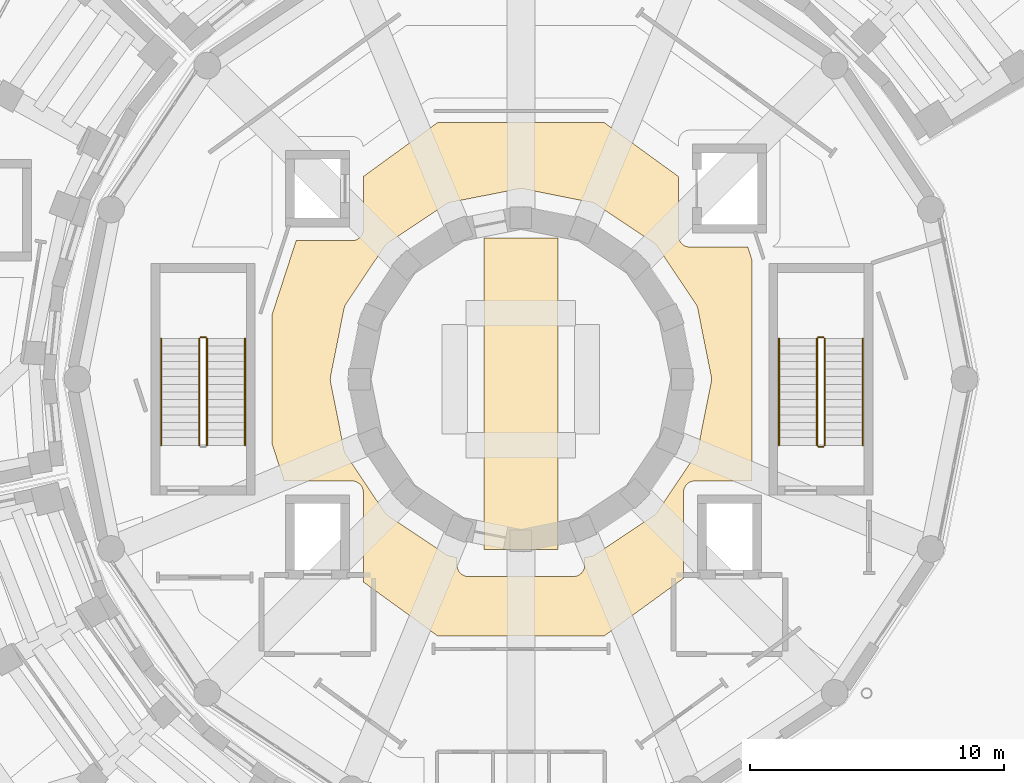
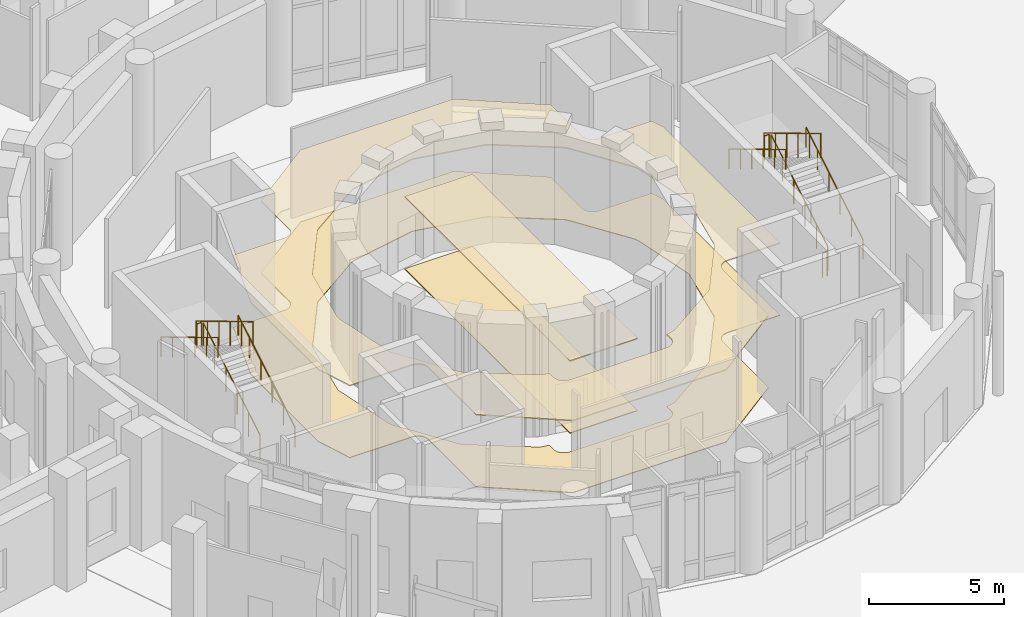
# One storey, part 61 of 74: 11 railings, 4 coverings.
"""IFC4 building model written with IfcOpenShell, lengths in metres."""

from ifc_helpers import new_model, si_unit, direction, frame, origin, origin_2d, place, context, subcontext, project, spatial, polyline, circle, outline, extrude, material, layer, layer_set, type_object, element, save


model = new_model("IFC4")

# Units and contexts
model_context = context("Model", 3, precision=1e-05, world=origin(), true_north=direction((0.0, 1.0)))
body_context = subcontext(model_context, "Body", "Model", "MODEL_VIEW")
ifc_project = project(units=[si_unit("LENGTHUNIT", "METRE"), si_unit("AREAUNIT", "SQUARE_METRE"), si_unit("VOLUMEUNIT", "CUBIC_METRE"), si_unit("PLANEANGLEUNIT", "RADIAN"), si_unit("MASSUNIT", "GRAM", prefix="KILO")], contexts=[model_context])

# Site, building, storey
site_placement = place(None, origin())
site = spatial("IfcSite", under=ifc_project, at=site_placement, CompositionType="ELEMENT")
building_placement = place(site_placement, origin())
building = spatial("IfcBuilding", under=site, at=building_placement, Name="Soyqirgoq Riverine Aquarium", CompositionType="ELEMENT")
storey_placement = place(building_placement, origin())
storey = spatial("IfcBuildingStorey", under=building, at=storey_placement, Name="L01", CompositionType="ELEMENT", Elevation=0.0)

# Coverings
ifc_material_1 = material(Name="Perforated mineral-fibre acoustic ceiling", Category="gypsum")
ifc_layer_1 = layer(ifc_material_1, 0.050048828125)
ifc_layer_set_1 = layer_set([ifc_layer_1], Name="Perforated mineral-fibre acoustic ceiling")
covering_type_1 = type_object("IfcCoveringType", Name="AcousticBaffleCeiling_50", PredefinedType="CEILING", material=ifc_layer_set_1)
covering_1_placement = place(storey_placement, frame((0.0, 0.0, 3.25)))
element("IfcCovering", 1, at=covering_1_placement, inside=storey, type_object=covering_type_1, Name="Acrylic Viewing Tunnel Suspended Ceiling", PredefinedType="CEILING", context=body_context, shape_type="SweptSolid", body=[
    extrude(outline(polyline([(54.550048828125, 50.300048828125), (54.550048828125, 62.550048828125), (57.449951171875, 62.550048828125), (57.449951171875, 50.300048828125), (54.550048828125, 50.300048828125)])), origin(), (0.0, 0.0, 1.0), 0.050048828125),
])
covering_2_placement = place(storey_placement, frame((0.0, 0.0, 3.25)))
element("IfcCovering", 2, at=covering_2_placement, inside=storey, type_object=covering_type_1, Name="Subsea Window Alcove Suspended Ceiling", PredefinedType="CEILING", context=body_context, shape_type="SweptSolid", body=[
    extrude(outline(polyline([(46.199951171875, 54.49609375), (46.199951171875, 59.50390625), (47.156982421875, 62.449951171875), (49.35009765625, 62.449951171875), (49.39404296875, 62.451904296875), (49.43798828125, 62.458984375), (49.48095703125, 62.468994140625), (49.52197265625, 62.48388671875), (49.56201171875, 62.5029296875), (49.60009765625, 62.52587890625), (49.635009765625, 62.552001953125), (49.66796875, 62.58203125), (49.697998046875, 62.614990234375), (49.72412109375, 62.64990234375), (49.7470703125, 62.68798828125), (49.76611328125, 62.72802734375), (49.781005859375, 62.76904296875), (49.791015625, 62.81201171875), (49.798095703125, 62.85595703125), (49.800048828125, 62.89990234375), (49.800048828125, 64.972900390625), (52.719970703125, 67.093994140625), (59.280029296875, 67.093994140625), (62.199951171875, 64.972900390625), (62.199951171875, 62.64990234375), (62.201904296875, 62.60595703125), (62.208984375, 62.56201171875), (62.218994140625, 62.51904296875), (62.23388671875, 62.47802734375), (62.2529296875, 62.43798828125), (62.27587890625, 62.39990234375), (62.302001953125, 62.364990234375), (62.33203125, 62.33203125), (62.364990234375, 62.302001953125), (62.39990234375, 62.27587890625), (62.43798828125, 62.2529296875), (62.47802734375, 62.23388671875), (62.51904296875, 62.218994140625), (62.56201171875, 62.208984375), (62.60595703125, 62.201904296875), (62.64990234375, 62.199951171875), (64.924072265625, 62.199951171875), (65.10009765625, 61.658935546875), (65.10009765625, 53.0), (62.85009765625, 53.0), (62.805908203125, 52.998046875), (62.761962890625, 52.990966796875), (62.718994140625, 52.98095703125), (62.677978515625, 52.966064453125), (62.637939453125, 52.947021484375), (62.60009765625, 52.924072265625), (62.56494140625, 52.89794921875), (62.531982421875, 52.867919921875), (62.501953125, 52.8349609375), (62.47607421875, 52.800048828125), (62.452880859375, 52.761962890625), (62.43408203125, 52.721923828125), (62.4189453125, 52.680908203125), (62.408935546875, 52.637939453125), (62.402099609375, 52.593994140625), (62.39990234375, 52.550048828125), (62.39990234375, 49.173095703125), (59.280029296875, 46.906005859375), (52.719970703125, 46.906005859375), (49.799072265625, 49.028076171875), (49.800048828125, 49.050048828125), (49.800048828125, 52.550048828125), (49.798095703125, 52.593994140625), (49.791015625, 52.637939453125), (49.781005859375, 52.680908203125), (49.76611328125, 52.721923828125), (49.7470703125, 52.761962890625), (49.72412109375, 52.800048828125), (49.697998046875, 52.8349609375), (49.66796875, 52.867919921875), (49.635009765625, 52.89794921875), (49.60009765625, 52.924072265625), (49.56201171875, 52.947021484375), (49.52197265625, 52.966064453125), (49.48095703125, 52.98095703125), (49.43798828125, 52.990966796875), (49.39404296875, 52.998046875), (49.35009765625, 53.0), (46.68603515625, 53.0), (46.199951171875, 54.49609375)]), holes=[polyline([(50.764892578125, 51.64111328125), (50.72900390625, 51.6669921875), (50.697021484375, 51.697021484375), (50.6669921875, 51.72900390625), (50.64111328125, 51.764892578125), (49.112060546875, 54.052001953125), (49.090087890625, 54.090087890625), (49.071044921875, 54.1298828125), (49.055908203125, 54.1708984375), (49.044921875, 54.214111328125), (48.509033203125, 56.912109375), (48.501953125, 56.9560546875), (48.5, 57.0), (48.501953125, 57.0439453125), (48.509033203125, 57.087890625), (49.044921875, 59.785888671875), (49.055908203125, 59.8291015625), (49.071044921875, 59.8701171875), (49.090087890625, 59.909912109375), (49.112060546875, 59.947998046875), (50.64111328125, 62.235107421875), (50.6669921875, 62.27099609375), (50.697021484375, 62.302978515625), (50.72900390625, 62.3330078125), (50.764892578125, 62.35888671875), (53.052001953125, 63.887939453125), (53.090087890625, 63.909912109375), (53.1298828125, 63.928955078125), (53.1708984375, 63.944091796875), (53.214111328125, 63.955078125), (55.912109375, 64.490966796875), (55.9560546875, 64.498046875), (56.0, 64.5), (56.0439453125, 64.498046875), (56.087890625, 64.490966796875), (58.785888671875, 63.955078125), (58.8291015625, 63.944091796875), (58.8701171875, 63.928955078125), (58.909912109375, 63.909912109375), (58.947998046875, 63.887939453125), (61.235107421875, 62.35888671875), (61.27099609375, 62.3330078125), (61.302978515625, 62.302978515625), (61.3330078125, 62.27099609375), (61.35888671875, 62.235107421875), (62.887939453125, 59.947998046875), (62.909912109375, 59.909912109375), (62.928955078125, 59.8701171875), (62.944091796875, 59.8291015625), (62.955078125, 59.785888671875), (63.490966796875, 57.087890625), (63.498046875, 57.0439453125), (63.5, 57.0), (63.498046875, 56.9560546875), (63.490966796875, 56.912109375), (62.955078125, 54.214111328125), (62.944091796875, 54.1708984375), (62.928955078125, 54.1298828125), (62.909912109375, 54.090087890625), (62.887939453125, 54.052001953125), (61.35888671875, 51.764892578125), (61.3330078125, 51.72900390625), (61.302978515625, 51.697021484375), (61.27099609375, 51.6669921875), (61.235107421875, 51.64111328125), (58.947998046875, 50.112060546875), (58.909912109375, 50.090087890625), (58.8701171875, 50.071044921875), (58.8291015625, 50.055908203125), (58.785888671875, 50.044921875), (58.510009765625, 49.989990234375), (58.510009765625, 49.68994140625), (58.508056640625, 49.64599609375), (58.5009765625, 49.60205078125), (58.490966796875, 49.55908203125), (58.47607421875, 49.51806640625), (58.45703125, 49.47802734375), (58.43408203125, 49.43994140625), (58.407958984375, 49.405029296875), (58.3779296875, 49.3720703125), (58.344970703125, 49.342041015625), (58.31005859375, 49.31591796875), (58.27197265625, 49.29296875), (58.23193359375, 49.27392578125), (58.19091796875, 49.259033203125), (58.14794921875, 49.2490234375), (58.10400390625, 49.241943359375), (58.06005859375, 49.239990234375), (53.93994140625, 49.239990234375), (53.89599609375, 49.241943359375), (53.85205078125, 49.2490234375), (53.80908203125, 49.259033203125), (53.76806640625, 49.27392578125), (53.72802734375, 49.29296875), (53.68994140625, 49.31591796875), (53.655029296875, 49.342041015625), (53.6220703125, 49.3720703125), (53.592041015625, 49.405029296875), (53.56591796875, 49.43994140625), (53.54296875, 49.47802734375), (53.52392578125, 49.51806640625), (53.509033203125, 49.55908203125), (53.4990234375, 49.60205078125), (53.491943359375, 49.64599609375), (53.489990234375, 49.68994140625), (53.489990234375, 49.989990234375), (53.214111328125, 50.044921875), (53.1708984375, 50.055908203125), (53.1298828125, 50.071044921875), (53.090087890625, 50.090087890625), (53.052001953125, 50.112060546875), (50.764892578125, 51.64111328125)])]), origin(), (0.0, 0.0, 1.0), 0.050048828125),
])

# Railings
ifc_material_2 = material(Name="Brushed stainless steel 316L tubular handrail", Category="steel")
railing_type_1 = type_object("IfcRailingType", Name="StairPitchHandrail_920", PredefinedType="HANDRAIL", material=ifc_material_2)
railing_1_placement = place(storey_placement, frame((69.449951171875, 54.39990234375, 0.179931640625)))
element("IfcRailing", 3, at=railing_1_placement, inside=storey, type_object=railing_type_1, Name="L01 ST-1 stair handrail 1", PredefinedType="HANDRAIL", context=body_context, shape_type="SweptSolid", body=[
    extrude(circle(Radius=0.02392578125, at=origin_2d()), frame((0.0, 0.0, 0.89990234375), z_axis=(0.0, 0.857501721439, 0.514481095599), x_axis=(-1.0, 0.0, 0.0)), (0.0, 0.0, 1.0), 4.898193359375),
    extrude(circle(Radius=0.02099609375, at=origin_2d()), origin(), (0.0, 0.0, 1.0), 0.875732421875),
    extrude(circle(Radius=0.02099609375, at=origin_2d()), frame((0.0, 0.840087890625, 0.50390625)), (0.0, 0.0, 1.0), 0.875732421875),
    extrude(circle(Radius=0.02099609375, at=origin_2d()), frame((0.0, 1.68017578125, 1.008056640625)), (0.0, 0.0, 1.0), 0.875732421875),
    extrude(circle(Radius=0.02099609375, at=origin_2d()), frame((0.0, 2.52001953125, 1.511962890625)), (0.0, 0.0, 1.0), 0.875732421875),
    extrude(circle(Radius=0.02099609375, at=origin_2d()), frame((0.0, 3.360107421875, 2.01611328125)), (0.0, 0.0, 1.0), 0.875732421875),
    extrude(circle(Radius=0.02099609375, at=origin_2d()), frame((0.0, 4.2001953125, 2.52001953125)), (0.0, 0.0, 1.0), 0.875732421875),
])
railing_2_placement = place(storey_placement, frame((66.14990234375, 58.60009765625, 2.8798828125)))
element("IfcRailing", 4, at=railing_2_placement, inside=storey, type_object=railing_type_1, Name="L01 ST-1 stair handrail 2", PredefinedType="HANDRAIL", context=body_context, shape_type="SweptSolid", body=[
    extrude(circle(Radius=0.02392578125, at=origin_2d()), frame((0.0, 0.0, 0.89990234375), z_axis=(0.0, -0.857501721439, 0.514481095599), x_axis=(1.0, 0.0, 0.0)), (0.0, 0.0, 1.0), 4.898193359375),
    extrude(circle(Radius=0.02099609375, at=origin_2d()), origin(), (0.0, 0.0, 1.0), 0.875732421875),
    extrude(circle(Radius=0.02099609375, at=origin_2d()), frame((0.0, -0.840087890625, 0.50390625)), (0.0, 0.0, 1.0), 0.875732421875),
    extrude(circle(Radius=0.02099609375, at=origin_2d()), frame((0.0, -1.68017578125, 1.008056640625)), (0.0, 0.0, 1.0), 0.875732421875),
    extrude(circle(Radius=0.02099609375, at=origin_2d()), frame((0.0, -2.52001953125, 1.511962890625)), (0.0, 0.0, 1.0), 0.875732421875),
    extrude(circle(Radius=0.02099609375, at=origin_2d()), frame((0.0, -3.360107421875, 2.01611328125)), (0.0, 0.0, 1.0), 0.875732421875),
    extrude(circle(Radius=0.02099609375, at=origin_2d()), frame((0.0, -4.2001953125, 2.52001953125)), (0.0, 0.0, 1.0), 0.875732421875),
])
railing_3_placement = place(storey_placement, frame((45.14990234375, 54.39990234375, 0.179931640625)))
element("IfcRailing", 5, at=railing_3_placement, inside=storey, type_object=railing_type_1, Name="L01 ST-9 stair handrail 1", PredefinedType="HANDRAIL", context=body_context, shape_type="SweptSolid", body=[
    extrude(circle(Radius=0.02392578125, at=origin_2d()), frame((0.0, 0.0, 0.89990234375), z_axis=(0.0, 0.857501721439, 0.514481095599), x_axis=(-1.0, 0.0, 0.0)), (0.0, 0.0, 1.0), 4.898193359375),
    extrude(circle(Radius=0.02099609375, at=origin_2d()), origin(), (0.0, 0.0, 1.0), 0.875732421875),
    extrude(circle(Radius=0.02099609375, at=origin_2d()), frame((0.0, 0.840087890625, 0.50390625)), (0.0, 0.0, 1.0), 0.875732421875),
    extrude(circle(Radius=0.02099609375, at=origin_2d()), frame((0.0, 1.68017578125, 1.008056640625)), (0.0, 0.0, 1.0), 0.875732421875),
    extrude(circle(Radius=0.02099609375, at=origin_2d()), frame((0.0, 2.52001953125, 1.511962890625)), (0.0, 0.0, 1.0), 0.875732421875),
    extrude(circle(Radius=0.02099609375, at=origin_2d()), frame((0.0, 3.360107421875, 2.01611328125)), (0.0, 0.0, 1.0), 0.875732421875),
    extrude(circle(Radius=0.02099609375, at=origin_2d()), frame((0.0, 4.2001953125, 2.52001953125)), (0.0, 0.0, 1.0), 0.875732421875),
])
railing_4_placement = place(storey_placement, frame((41.85009765625, 58.60009765625, 2.8798828125)))
element("IfcRailing", 6, at=railing_4_placement, inside=storey, type_object=railing_type_1, Name="L01 ST-9 stair handrail 2", PredefinedType="HANDRAIL", context=body_context, shape_type="SweptSolid", body=[
    extrude(circle(Radius=0.02392578125, at=origin_2d()), frame((0.0, 0.0, 0.89990234375), z_axis=(0.0, -0.857501721439, 0.514481095599), x_axis=(1.0, 0.0, 0.0)), (0.0, 0.0, 1.0), 4.898193359375),
    extrude(circle(Radius=0.02099609375, at=origin_2d()), origin(), (0.0, 0.0, 1.0), 0.875732421875),
    extrude(circle(Radius=0.02099609375, at=origin_2d()), frame((0.0, -0.840087890625, 0.50390625)), (0.0, 0.0, 1.0), 0.875732421875),
    extrude(circle(Radius=0.02099609375, at=origin_2d()), frame((0.0, -1.68017578125, 1.008056640625)), (0.0, 0.0, 1.0), 0.875732421875),
    extrude(circle(Radius=0.02099609375, at=origin_2d()), frame((0.0, -2.52001953125, 1.511962890625)), (0.0, 0.0, 1.0), 0.875732421875),
    extrude(circle(Radius=0.02099609375, at=origin_2d()), frame((0.0, -3.360107421875, 2.01611328125)), (0.0, 0.0, 1.0), 0.875732421875),
    extrude(circle(Radius=0.02099609375, at=origin_2d()), frame((0.0, -4.2001953125, 2.52001953125)), (0.0, 0.0, 1.0), 0.875732421875),
])
ifc_material_3 = material(Name="Painted steel infill stair-well guardrail", Category="steel")
railing_type_2 = type_object("IfcRailingType", Name="StairWellGuard_1120", PredefinedType="GUARDRAIL", material=ifc_material_3)
railing_5_placement = place(storey_placement, frame((67.949951171875, 54.39990234375, 0.179931640625)))
element("IfcRailing", 7, at=railing_5_placement, inside=storey, type_object=railing_type_2, Name="L01 ST-1 stair guard 1", PredefinedType="GUARDRAIL", context=body_context, shape_type="SweptSolid", body=[
    extrude(circle(Radius=0.02392578125, at=origin_2d()), frame((0.0, 0.0, 1.09619140625), z_axis=(0.0, 0.857501721439, 0.514481095599), x_axis=(-1.0, 0.0, 0.0)), (0.0, 0.0, 1.0), 4.898193359375),
    extrude(circle(Radius=0.02099609375, at=origin_2d()), origin(), (0.0, 0.0, 1.0), 1.072021484375),
    extrude(circle(Radius=0.02099609375, at=origin_2d()), frame((0.0, 0.840087890625, 0.50390625)), (0.0, 0.0, 1.0), 1.072021484375),
    extrude(circle(Radius=0.02099609375, at=origin_2d()), frame((0.0, 1.68017578125, 1.008056640625)), (0.0, 0.0, 1.0), 1.072021484375),
    extrude(circle(Radius=0.02099609375, at=origin_2d()), frame((0.0, 2.52001953125, 1.511962890625)), (0.0, 0.0, 1.0), 1.072021484375),
    extrude(circle(Radius=0.02099609375, at=origin_2d()), frame((0.0, 3.360107421875, 2.01611328125)), (0.0, 0.0, 1.0), 1.072021484375),
    extrude(circle(Radius=0.02099609375, at=origin_2d()), frame((0.0, 4.2001953125, 2.52001953125)), (0.0, 0.0, 1.0), 1.072021484375),
])
railing_6_placement = place(storey_placement, frame((67.89990234375, 58.64990234375, 2.699951171875)))
element("IfcRailing", 8, at=railing_6_placement, inside=storey, type_object=railing_type_2, Name="L01 ST-1 stair guard 2", PredefinedType="GUARDRAIL", context=body_context, shape_type="SweptSolid", body=[
    extrude(circle(Radius=0.02392578125, at=origin_2d()), frame((0.0, 0.0, 1.09619140625), z_axis=(-1.0, 0.0, 0.0), x_axis=(0.0, -1.0, 0.0)), (0.0, 0.0, 1.0), 0.199951171875),
    extrude(circle(Radius=0.02099609375, at=origin_2d()), origin(), (0.0, 0.0, 1.0), 1.072021484375),
    extrude(circle(Radius=0.02099609375, at=origin_2d()), frame((-0.199951171875, 0.0, 0.0)), (0.0, 0.0, 1.0), 1.072021484375),
])
railing_7_placement = place(storey_placement, frame((67.64990234375, 58.60009765625, 2.8798828125)))
element("IfcRailing", 9, at=railing_7_placement, inside=storey, type_object=railing_type_2, Name="L01 ST-1 stair guard 3", PredefinedType="GUARDRAIL", context=body_context, shape_type="SweptSolid", body=[
    extrude(circle(Radius=0.02392578125, at=origin_2d()), frame((0.0, 0.0, 1.09619140625), z_axis=(0.0, -0.857501721439, 0.514481095599), x_axis=(1.0, 0.0, 0.0)), (0.0, 0.0, 1.0), 4.898193359375),
    extrude(circle(Radius=0.02099609375, at=origin_2d()), origin(), (0.0, 0.0, 1.0), 1.072021484375),
    extrude(circle(Radius=0.02099609375, at=origin_2d()), frame((0.0, -0.840087890625, 0.50390625)), (0.0, 0.0, 1.0), 1.072021484375),
    extrude(circle(Radius=0.02099609375, at=origin_2d()), frame((0.0, -1.68017578125, 1.008056640625)), (0.0, 0.0, 1.0), 1.072021484375),
    extrude(circle(Radius=0.02099609375, at=origin_2d()), frame((0.0, -2.52001953125, 1.511962890625)), (0.0, 0.0, 1.0), 1.072021484375),
    extrude(circle(Radius=0.02099609375, at=origin_2d()), frame((0.0, -3.360107421875, 2.01611328125)), (0.0, 0.0, 1.0), 1.072021484375),
    extrude(circle(Radius=0.02099609375, at=origin_2d()), frame((0.0, -4.2001953125, 2.52001953125)), (0.0, 0.0, 1.0), 1.072021484375),
])
railing_8_placement = place(storey_placement, frame((67.89990234375, 54.35009765625, 0.0)))
element("IfcRailing", 10, at=railing_8_placement, inside=storey, type_object=railing_type_2, Name="L01 ST-1 stair guard 4", PredefinedType="GUARDRAIL", context=body_context, shape_type="SweptSolid", body=[
    extrude(circle(Radius=0.02392578125, at=origin_2d()), frame((0.0, 0.0, 1.09619140625), z_axis=(-1.0, 0.0, 0.0), x_axis=(0.0, -1.0, 0.0)), (0.0, 0.0, 1.0), 0.199951171875),
    extrude(circle(Radius=0.02099609375, at=origin_2d()), origin(), (0.0, 0.0, 1.0), 1.072021484375),
    extrude(circle(Radius=0.02099609375, at=origin_2d()), frame((-0.199951171875, 0.0, 0.0)), (0.0, 0.0, 1.0), 1.072021484375),
])
railing_9_placement = place(storey_placement, frame((43.64990234375, 54.39990234375, 0.179931640625)))
element("IfcRailing", 11, at=railing_9_placement, inside=storey, type_object=railing_type_2, Name="L01 ST-9 stair guard 1", PredefinedType="GUARDRAIL", context=body_context, shape_type="SweptSolid", body=[
    extrude(circle(Radius=0.02392578125, at=origin_2d()), frame((0.0, 0.0, 1.09619140625), z_axis=(0.0, 0.857501721439, 0.514481095599), x_axis=(-1.0, 0.0, 0.0)), (0.0, 0.0, 1.0), 4.898193359375),
    extrude(circle(Radius=0.02099609375, at=origin_2d()), origin(), (0.0, 0.0, 1.0), 1.072021484375),
    extrude(circle(Radius=0.02099609375, at=origin_2d()), frame((0.0, 0.840087890625, 0.50390625)), (0.0, 0.0, 1.0), 1.072021484375),
    extrude(circle(Radius=0.02099609375, at=origin_2d()), frame((0.0, 1.68017578125, 1.008056640625)), (0.0, 0.0, 1.0), 1.072021484375),
    extrude(circle(Radius=0.02099609375, at=origin_2d()), frame((0.0, 2.52001953125, 1.511962890625)), (0.0, 0.0, 1.0), 1.072021484375),
    extrude(circle(Radius=0.02099609375, at=origin_2d()), frame((0.0, 3.360107421875, 2.01611328125)), (0.0, 0.0, 1.0), 1.072021484375),
    extrude(circle(Radius=0.02099609375, at=origin_2d()), frame((0.0, 4.2001953125, 2.52001953125)), (0.0, 0.0, 1.0), 1.072021484375),
])
railing_10_placement = place(storey_placement, frame((43.60009765625, 58.64990234375, 2.699951171875)))
element("IfcRailing", 12, at=railing_10_placement, inside=storey, type_object=railing_type_2, Name="L01 ST-9 stair guard 2", PredefinedType="GUARDRAIL", context=body_context, shape_type="SweptSolid", body=[
    extrude(circle(Radius=0.02392578125, at=origin_2d()), frame((0.0, 0.0, 1.09619140625), z_axis=(-1.0, 0.0, 0.0), x_axis=(0.0, -1.0, 0.0)), (0.0, 0.0, 1.0), 0.2001953125),
    extrude(circle(Radius=0.02099609375, at=origin_2d()), origin(), (0.0, 0.0, 1.0), 1.072021484375),
    extrude(circle(Radius=0.02099609375, at=origin_2d()), frame((-0.2001953125, 0.0, 0.0)), (0.0, 0.0, 1.0), 1.072021484375),
])
railing_11_placement = place(storey_placement, frame((43.35009765625, 58.60009765625, 2.8798828125)))
element("IfcRailing", 13, at=railing_11_placement, inside=storey, type_object=railing_type_2, Name="L01 ST-9 stair guard 3", PredefinedType="GUARDRAIL", context=body_context, shape_type="SweptSolid", body=[
    extrude(circle(Radius=0.02392578125, at=origin_2d()), frame((0.0, 0.0, 1.09619140625), z_axis=(0.0, -0.857501721439, 0.514481095599), x_axis=(1.0, 0.0, 0.0)), (0.0, 0.0, 1.0), 4.898193359375),
    extrude(circle(Radius=0.02099609375, at=origin_2d()), origin(), (0.0, 0.0, 1.0), 1.072021484375),
    extrude(circle(Radius=0.02099609375, at=origin_2d()), frame((0.0, -0.840087890625, 0.50390625)), (0.0, 0.0, 1.0), 1.072021484375),
    extrude(circle(Radius=0.02099609375, at=origin_2d()), frame((0.0, -1.68017578125, 1.008056640625)), (0.0, 0.0, 1.0), 1.072021484375),
    extrude(circle(Radius=0.02099609375, at=origin_2d()), frame((0.0, -2.52001953125, 1.511962890625)), (0.0, 0.0, 1.0), 1.072021484375),
    extrude(circle(Radius=0.02099609375, at=origin_2d()), frame((0.0, -3.360107421875, 2.01611328125)), (0.0, 0.0, 1.0), 1.072021484375),
    extrude(circle(Radius=0.02099609375, at=origin_2d()), frame((0.0, -4.2001953125, 2.52001953125)), (0.0, 0.0, 1.0), 1.072021484375),
])

# Coverings
ifc_material_4 = material(Name="Polished Chirchiq river-pebble terrazzo flooring", Category="concrete")
ifc_layer_2 = layer(ifc_material_4, 0.030029296875)
ifc_layer_set_2 = layer_set([ifc_layer_2], Name="Polished Chirchiq river-pebble terrazzo flooring")
covering_type_2 = type_object("IfcCoveringType", Name="TerrazzoFloorFinish_30", PredefinedType="FLOORING", material=ifc_layer_set_2)
covering_3_placement = place(storey_placement, origin())
element("IfcCovering", 14, at=covering_3_placement, inside=storey, type_object=covering_type_2, Name="Acrylic Viewing Tunnel Floor Finish", PredefinedType="FLOORING", context=body_context, shape_type="SweptSolid", body=[
    extrude(outline(polyline([(54.550048828125, 50.300048828125), (54.550048828125, 62.550048828125), (57.449951171875, 62.550048828125), (57.449951171875, 50.300048828125), (54.550048828125, 50.300048828125)])), origin(), (0.0, 0.0, 1.0), 0.030029296875),
])
covering_4_placement = place(storey_placement, origin())
element("IfcCovering", 15, at=covering_4_placement, inside=storey, type_object=covering_type_2, Name="Subsea Window Alcove Floor Finish", PredefinedType="FLOORING", context=body_context, shape_type="SweptSolid", body=[
    extrude(outline(polyline([(46.199951171875, 54.49609375), (46.199951171875, 59.50390625), (47.156982421875, 62.449951171875), (49.35009765625, 62.449951171875), (49.39404296875, 62.451904296875), (49.43798828125, 62.458984375), (49.48095703125, 62.468994140625), (49.52197265625, 62.48388671875), (49.56201171875, 62.5029296875), (49.60009765625, 62.52587890625), (49.635009765625, 62.552001953125), (49.66796875, 62.58203125), (49.697998046875, 62.614990234375), (49.72412109375, 62.64990234375), (49.7470703125, 62.68798828125), (49.76611328125, 62.72802734375), (49.781005859375, 62.76904296875), (49.791015625, 62.81201171875), (49.798095703125, 62.85595703125), (49.800048828125, 62.89990234375), (49.800048828125, 64.972900390625), (52.719970703125, 67.093994140625), (59.280029296875, 67.093994140625), (62.199951171875, 64.972900390625), (62.199951171875, 62.64990234375), (62.201904296875, 62.60595703125), (62.208984375, 62.56201171875), (62.218994140625, 62.51904296875), (62.23388671875, 62.47802734375), (62.2529296875, 62.43798828125), (62.27587890625, 62.39990234375), (62.302001953125, 62.364990234375), (62.33203125, 62.33203125), (62.364990234375, 62.302001953125), (62.39990234375, 62.27587890625), (62.43798828125, 62.2529296875), (62.47802734375, 62.23388671875), (62.51904296875, 62.218994140625), (62.56201171875, 62.208984375), (62.60595703125, 62.201904296875), (62.64990234375, 62.199951171875), (64.924072265625, 62.199951171875), (65.10009765625, 61.658935546875), (65.10009765625, 53.0), (62.85009765625, 53.0), (62.805908203125, 52.998046875), (62.761962890625, 52.990966796875), (62.718994140625, 52.98095703125), (62.677978515625, 52.966064453125), (62.637939453125, 52.947021484375), (62.60009765625, 52.924072265625), (62.56494140625, 52.89794921875), (62.531982421875, 52.867919921875), (62.501953125, 52.8349609375), (62.47607421875, 52.800048828125), (62.452880859375, 52.761962890625), (62.43408203125, 52.721923828125), (62.4189453125, 52.680908203125), (62.408935546875, 52.637939453125), (62.402099609375, 52.593994140625), (62.39990234375, 52.550048828125), (62.39990234375, 49.173095703125), (59.280029296875, 46.906005859375), (52.719970703125, 46.906005859375), (49.799072265625, 49.028076171875), (49.800048828125, 49.050048828125), (49.800048828125, 52.550048828125), (49.798095703125, 52.593994140625), (49.791015625, 52.637939453125), (49.781005859375, 52.680908203125), (49.76611328125, 52.721923828125), (49.7470703125, 52.761962890625), (49.72412109375, 52.800048828125), (49.697998046875, 52.8349609375), (49.66796875, 52.867919921875), (49.635009765625, 52.89794921875), (49.60009765625, 52.924072265625), (49.56201171875, 52.947021484375), (49.52197265625, 52.966064453125), (49.48095703125, 52.98095703125), (49.43798828125, 52.990966796875), (49.39404296875, 52.998046875), (49.35009765625, 53.0), (46.68603515625, 53.0), (46.199951171875, 54.49609375)]), holes=[polyline([(50.764892578125, 51.64111328125), (50.72900390625, 51.6669921875), (50.697021484375, 51.697021484375), (50.6669921875, 51.72900390625), (50.64111328125, 51.764892578125), (49.112060546875, 54.052001953125), (49.090087890625, 54.090087890625), (49.071044921875, 54.1298828125), (49.055908203125, 54.1708984375), (49.044921875, 54.214111328125), (48.509033203125, 56.912109375), (48.501953125, 56.9560546875), (48.5, 57.0), (48.501953125, 57.0439453125), (48.509033203125, 57.087890625), (49.044921875, 59.785888671875), (49.055908203125, 59.8291015625), (49.071044921875, 59.8701171875), (49.090087890625, 59.909912109375), (49.112060546875, 59.947998046875), (50.64111328125, 62.235107421875), (50.6669921875, 62.27099609375), (50.697021484375, 62.302978515625), (50.72900390625, 62.3330078125), (50.764892578125, 62.35888671875), (53.052001953125, 63.887939453125), (53.090087890625, 63.909912109375), (53.1298828125, 63.928955078125), (53.1708984375, 63.944091796875), (53.214111328125, 63.955078125), (55.912109375, 64.490966796875), (55.9560546875, 64.498046875), (56.0, 64.5), (56.0439453125, 64.498046875), (56.087890625, 64.490966796875), (58.785888671875, 63.955078125), (58.8291015625, 63.944091796875), (58.8701171875, 63.928955078125), (58.909912109375, 63.909912109375), (58.947998046875, 63.887939453125), (61.235107421875, 62.35888671875), (61.27099609375, 62.3330078125), (61.302978515625, 62.302978515625), (61.3330078125, 62.27099609375), (61.35888671875, 62.235107421875), (62.887939453125, 59.947998046875), (62.909912109375, 59.909912109375), (62.928955078125, 59.8701171875), (62.944091796875, 59.8291015625), (62.955078125, 59.785888671875), (63.490966796875, 57.087890625), (63.498046875, 57.0439453125), (63.5, 57.0), (63.498046875, 56.9560546875), (63.490966796875, 56.912109375), (62.955078125, 54.214111328125), (62.944091796875, 54.1708984375), (62.928955078125, 54.1298828125), (62.909912109375, 54.090087890625), (62.887939453125, 54.052001953125), (61.35888671875, 51.764892578125), (61.3330078125, 51.72900390625), (61.302978515625, 51.697021484375), (61.27099609375, 51.6669921875), (61.235107421875, 51.64111328125), (58.947998046875, 50.112060546875), (58.909912109375, 50.090087890625), (58.8701171875, 50.071044921875), (58.8291015625, 50.055908203125), (58.785888671875, 50.044921875), (58.510009765625, 49.989990234375), (58.510009765625, 49.68994140625), (58.508056640625, 49.64599609375), (58.5009765625, 49.60205078125), (58.490966796875, 49.55908203125), (58.47607421875, 49.51806640625), (58.45703125, 49.47802734375), (58.43408203125, 49.43994140625), (58.407958984375, 49.405029296875), (58.3779296875, 49.3720703125), (58.344970703125, 49.342041015625), (58.31005859375, 49.31591796875), (58.27197265625, 49.29296875), (58.23193359375, 49.27392578125), (58.19091796875, 49.259033203125), (58.14794921875, 49.2490234375), (58.10400390625, 49.241943359375), (58.06005859375, 49.239990234375), (53.93994140625, 49.239990234375), (53.89599609375, 49.241943359375), (53.85205078125, 49.2490234375), (53.80908203125, 49.259033203125), (53.76806640625, 49.27392578125), (53.72802734375, 49.29296875), (53.68994140625, 49.31591796875), (53.655029296875, 49.342041015625), (53.6220703125, 49.3720703125), (53.592041015625, 49.405029296875), (53.56591796875, 49.43994140625), (53.54296875, 49.47802734375), (53.52392578125, 49.51806640625), (53.509033203125, 49.55908203125), (53.4990234375, 49.60205078125), (53.491943359375, 49.64599609375), (53.489990234375, 49.68994140625), (53.489990234375, 49.989990234375), (53.214111328125, 50.044921875), (53.1708984375, 50.055908203125), (53.1298828125, 50.071044921875), (53.090087890625, 50.090087890625), (53.052001953125, 50.112060546875), (50.764892578125, 51.64111328125)])]), origin(), (0.0, 0.0, 1.0), 0.030029296875),
])

save(model, "model.ifc")
